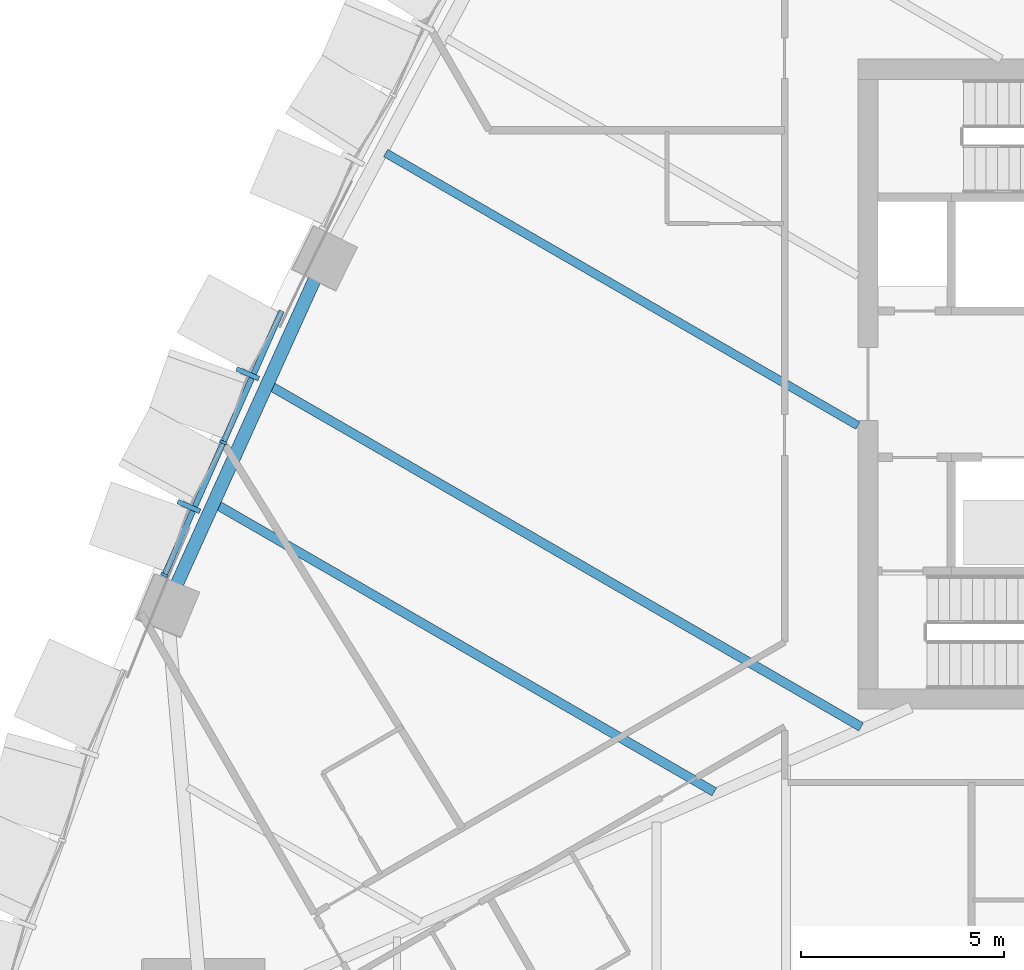
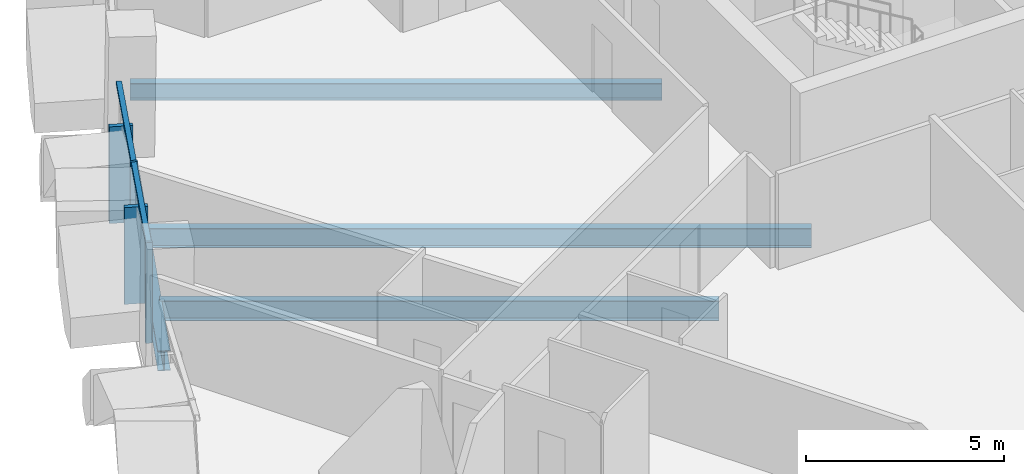
# One storey, part 3 of 23: 6 members, 4 beams, 1 element without a shape of its own.
"""IFC4 building model written with IfcOpenShell, lengths in metres."""

from ifc_helpers import new_model, si_unit, direction, frame, origin, origin_2d, place, context, subcontext, project, spatial, rectangle, i_section, extrude, material, layer, layer_set, material_profile, profile_set, type_object, element, aggregate, save


model = new_model("IFC4")

# Units and contexts
model_context = context("Model", 3, precision=1e-05, world=origin(), true_north=direction((0.0, 1.0)))
body_context = subcontext(model_context, "Body", "Model", "MODEL_VIEW")
ifc_project = project(units=[si_unit("LENGTHUNIT", "METRE"), si_unit("AREAUNIT", "SQUARE_METRE"), si_unit("VOLUMEUNIT", "CUBIC_METRE"), si_unit("PLANEANGLEUNIT", "RADIAN"), si_unit("MASSUNIT", "GRAM", prefix="KILO")], contexts=[model_context])

# Site, building, storey
site_placement = place(None, origin())
site = spatial("IfcSite", under=ifc_project, at=site_placement, CompositionType="ELEMENT")
building_placement = place(site_placement, origin())
building = spatial("IfcBuilding", under=site, at=building_placement, Name="Sierra Prisma Convention Tower", CompositionType="ELEMENT")
storey_placement = place(building_placement, frame((0.0, 0.0, 51.699951171875)))
storey = spatial("IfcBuildingStorey", under=building, at=storey_placement, Name="L08", CompositionType="ELEMENT", Elevation=51.699951171875)

# Curtain wall, members
ifc_material_1 = material(Name="Aluminium and glass curtain wall", Category="aluminium")
ifc_layer = layer(ifc_material_1, 0.179931640625)
ifc_layer_set = layer_set([ifc_layer], Name="CW-2 Faceted crystal curtain wall")
curtain_wall_type = type_object("IfcCurtainWallType", Name="CW-2 Faceted crystal curtain wall", PredefinedType="NOTDEFINED", material=ifc_layer_set)
curtain_wall_placement = place(storey_placement, origin())
curtain_wall = element("IfcCurtainWall", 1, at=curtain_wall_placement, inside=storey, type_object=curtain_wall_type, Name="CW-2 NW5 L08", PredefinedType="NOTDEFINED")
ifc_material_2 = material(Name="Aluminium 6063-T6 bronze anodised", Category="aluminium")
ifc_material_profile_1 = material_profile(ifc_material_2, rectangle(XDim=0.1201171875, YDim=0.60009765625, at=origin_2d()), Name="ALU RIDGE BLADE 120x600")
ifc_profile_set_1 = profile_set([ifc_material_profile_1], Name="Aluminium 6063-T6 bronze anodised")
member_type_1 = type_object("IfcMemberType", Name="CW hip bronze", PredefinedType="MULLION", material=ifc_profile_set_1)
member_1_placement = place(storey_placement, frame((-26.02001953125, 0.25732421875, 0.0), z_axis=(0.0, 0.0, 1.0), x_axis=(-0.405287620328, -0.914189228119, 0.0)))
member_1 = element("IfcMember", 2, at=member_1_placement, type_object=member_type_1, Name="CW-2 ridge NW5.1", PredefinedType="MULLION", context=body_context, shape_type="SweptSolid", body=[
    extrude(rectangle(XDim=0.1201171875, YDim=0.60009765625, at=origin_2d()), origin(), (0.0, 0.0, 1.0), 2.97998046875),
])
member_2_placement = place(storey_placement, frame((-27.468017578125, -3.0087890625, 0.0), z_axis=(0.0, 0.0, 1.0), x_axis=(-0.405287620328, -0.914189228119, 0.0)))
member_2 = element("IfcMember", 3, at=member_2_placement, type_object=member_type_1, Name="CW-2 ridge NW5.2", PredefinedType="MULLION", context=body_context, shape_type="SweptSolid", body=[
    extrude(rectangle(XDim=0.1201171875, YDim=0.60009765625, at=origin_2d()), origin(), (0.0, 0.0, 1.0), 2.97998046875),
])
ifc_material_3 = material(Name="Aluminium 6063-T6 bronze anodised", Category="aluminium")
ifc_material_profile_2 = material_profile(ifc_material_3, rectangle(XDim=0.179931640625, YDim=0.070068359375, at=origin_2d()), Name="ALU MULLION 70x180")
ifc_profile_set_2 = profile_set([ifc_material_profile_2], Name="Aluminium 6063-T6 bronze anodised")
member_type_2 = type_object("IfcMemberType", Name="CW mullion bronze", PredefinedType="MULLION", material=ifc_profile_set_2)
member_3_placement = place(storey_placement, frame((-26.617919921875, -1.431640625, 0.0), z_axis=(0.0, 0.0, 1.0), x_axis=(0.914189228119, -0.405287620328, 0.0)))
member_3 = element("IfcMember", 4, at=member_3_placement, type_object=member_type_2, Name="CW-1 mullion NW5.2", PredefinedType="MULLION", context=body_context, shape_type="SweptSolid", body=[
    extrude(rectangle(XDim=0.179931640625, YDim=0.070068359375, at=origin_2d()), origin(), (0.0, 0.0, 1.0), 3.10009765625),
])
member_4_placement = place(storey_placement, frame((-28.06591796875, -4.69775390625, 0.0), z_axis=(0.0, 0.0, 1.0), x_axis=(0.914189228119, -0.405287620328, 0.0)))
member_4 = element("IfcMember", 5, at=member_4_placement, type_object=member_type_2, Name="CW-1 mullion NW5.3", PredefinedType="MULLION", context=body_context, shape_type="SweptSolid", body=[
    extrude(rectangle(XDim=0.179931640625, YDim=0.070068359375, at=origin_2d()), origin(), (0.0, 0.0, 1.0), 3.10009765625),
])
ifc_material_4 = material(Name="Aluminium 6063-T6 bronze anodised", Category="aluminium")
ifc_material_profile_3 = material_profile(ifc_material_4, rectangle(XDim=0.139892578125, YDim=0.1201171875, at=origin_2d()), Name="ALU TRANSOM 120x140")
ifc_profile_set_3 = profile_set([ifc_material_profile_3], Name="Aluminium 6063-T6 bronze anodised")
member_type_3 = type_object("IfcMemberType", Name="CW transom bronze", PredefinedType="USERDEFINED", material=ifc_profile_set_3)
member_5_placement = place(storey_placement, frame((-25.18408203125, 1.802490234375, 3.0400390625), z_axis=(-0.405304055452, -0.914181941757, 0.0), x_axis=(0.914181941757, -0.405304055452, 0.0)))
member_5 = element("IfcMember", 6, at=member_5_placement, type_object=member_type_3, Name="CW-1 transom NW5.1", ObjectType="TRANSOM", PredefinedType="USERDEFINED", context=body_context, shape_type="SweptSolid", body=[
    extrude(rectangle(XDim=0.139892578125, YDim=0.1201171875, at=origin_2d()), origin(), (0.0, 0.0, 1.0), 3.502685546875),
])
member_6_placement = place(storey_placement, frame((-26.632080078125, -1.463623046875, 3.0400390625), z_axis=(-0.405304055452, -0.914181941757, 0.0), x_axis=(0.914181941757, -0.405304055452, 0.0)))
member_6 = element("IfcMember", 7, at=member_6_placement, type_object=member_type_3, Name="CW-1 transom NW5.2", ObjectType="TRANSOM", PredefinedType="USERDEFINED", context=body_context, shape_type="SweptSolid", body=[
    extrude(rectangle(XDim=0.139892578125, YDim=0.1201171875, at=origin_2d()), origin(), (0.0, 0.0, 1.0), 3.502685546875),
])
aggregate(curtain_wall, [member_3, member_4, member_5, member_1, member_6, member_2])

# Beams
ifc_material_5 = material(Name="Steel ASTM A992 Gr 50", Category="steel")
ifc_material_profile_4 = material_profile(ifc_material_5, i_section(OverallWidth=0.208984375, OverallDepth=0.532958984375, WebThickness=0.01025390625, FlangeThickness=0.015625, at=origin_2d()), Name="W530x92")
ifc_profile_set_4 = profile_set([ifc_material_profile_4], Name="Steel ASTM A992 Gr 50")
beam_type_1 = type_object("IfcBeamType", Name="Floor joist W530x92", PredefinedType="JOIST", material=ifc_profile_set_4)
beam_1_placement = place(storey_placement, frame((-22.62158203125, 5.68994140625, -0.41650390625), z_axis=(0.866025620534, -0.499999624578, 0.0), x_axis=(0.499999624578, 0.866025620534, 0.0)))
element("IfcBeam", 8, at=beam_1_placement, inside=storey, type_object=beam_type_1, Name="Floor joist L08 NW11", PredefinedType="JOIST", context=body_context, shape_type="SweptSolid", body=[
    extrude(i_section(OverallWidth=0.208984375, OverallDepth=0.532958984375, WebThickness=0.01025390625, FlangeThickness=0.015625, at=origin_2d()), origin(), (0.0, 0.0, 1.0), 13.41943359375),
])
ifc_material_6 = material(Name="Steel ASTM A992 Gr 50", Category="steel")
ifc_material_profile_5 = material_profile(ifc_material_6, i_section(OverallWidth=0.22802734375, OverallDepth=0.60302734375, WebThickness=0.010498046875, FlangeThickness=0.014892578125, at=origin_2d()), Name="W610x101")
ifc_profile_set_5 = profile_set([ifc_material_profile_5], Name="Steel ASTM A992 Gr 50")
beam_type_2 = type_object("IfcBeamType", Name="Floor joist W610x101", PredefinedType="JOIST", material=ifc_profile_set_5)
beam_2_placement = place(storey_placement, frame((-25.4365234375, -0.055419921875, -0.451416015625), z_axis=(0.866021630609, -0.500006535274, 0.0), x_axis=(0.500006535274, 0.866021630609, 0.0)))
element("IfcBeam", 9, at=beam_2_placement, inside=storey, type_object=beam_type_2, Name="Floor joist L08 NW13", PredefinedType="JOIST", context=body_context, shape_type="SweptSolid", body=[
    extrude(i_section(OverallWidth=0.22802734375, OverallDepth=0.60302734375, WebThickness=0.010498046875, FlangeThickness=0.014892578125, at=origin_2d()), origin(), (0.0, 0.0, 1.0), 16.762939453125),
])
beam_3_placement = place(storey_placement, frame((-26.758544921875, -2.977783203125, -0.451416015625), z_axis=(0.866033512162, -0.499985955615, 0.0), x_axis=(0.499985955615, 0.866033512162, 0.0)))
element("IfcBeam", 10, at=beam_3_placement, inside=storey, type_object=beam_type_2, Name="Floor joist L08 NW14", PredefinedType="JOIST", context=body_context, shape_type="SweptSolid", body=[
    extrude(i_section(OverallWidth=0.22802734375, OverallDepth=0.60302734375, WebThickness=0.010498046875, FlangeThickness=0.014892578125, at=origin_2d()), origin(), (0.0, 0.0, 1.0), 14.11572265625),
])
ifc_material_7 = material(Name="Steel ASTM A992 Gr 50", Category="steel")
ifc_material_profile_6 = material_profile(ifc_material_7, i_section(OverallWidth=0.324951171875, OverallDepth=0.615966796875, WebThickness=0.013916015625, FlangeThickness=0.021484375, at=origin_2d()), Name="W610x174")
ifc_profile_set_6 = profile_set([ifc_material_profile_6], Name="Steel ASTM A992 Gr 50")
beam_type_3 = type_object("IfcBeamType", Name="Spandrel beam W610x174", PredefinedType="BEAM", material=ifc_profile_set_6)
beam_4_placement = place(storey_placement, frame((-24.33251953125, 2.6591796875, -0.4580078125), z_axis=(-0.4121220761, -0.911128637675, 0.0), x_axis=(0.911128637675, -0.4121220761, 0.0)))
element("IfcBeam", 11, at=beam_4_placement, inside=storey, type_object=beam_type_3, Name="Spandrel L08-17", PredefinedType="BEAM", context=body_context, shape_type="SweptSolid", body=[
    extrude(i_section(OverallWidth=0.324951171875, OverallDepth=0.615966796875, WebThickness=0.013916015625, FlangeThickness=0.021484375, at=origin_2d()), origin(), (0.0, 0.0, 1.0), 8.429931640625),
])

save(model, "model.ifc")
